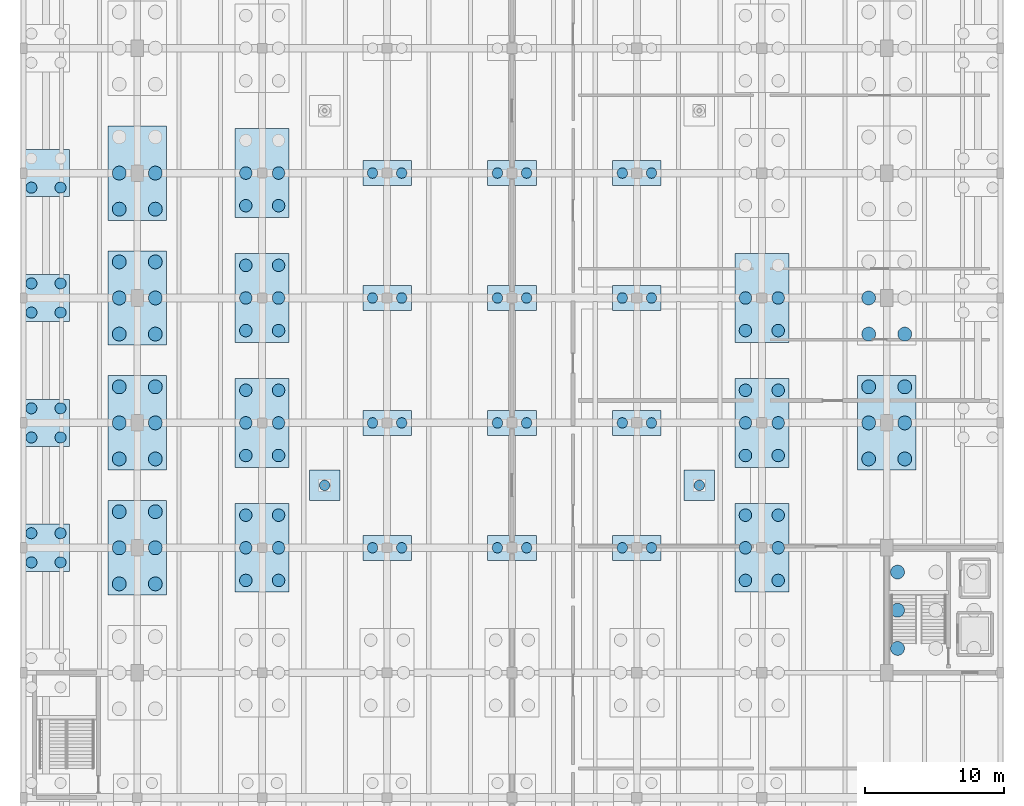
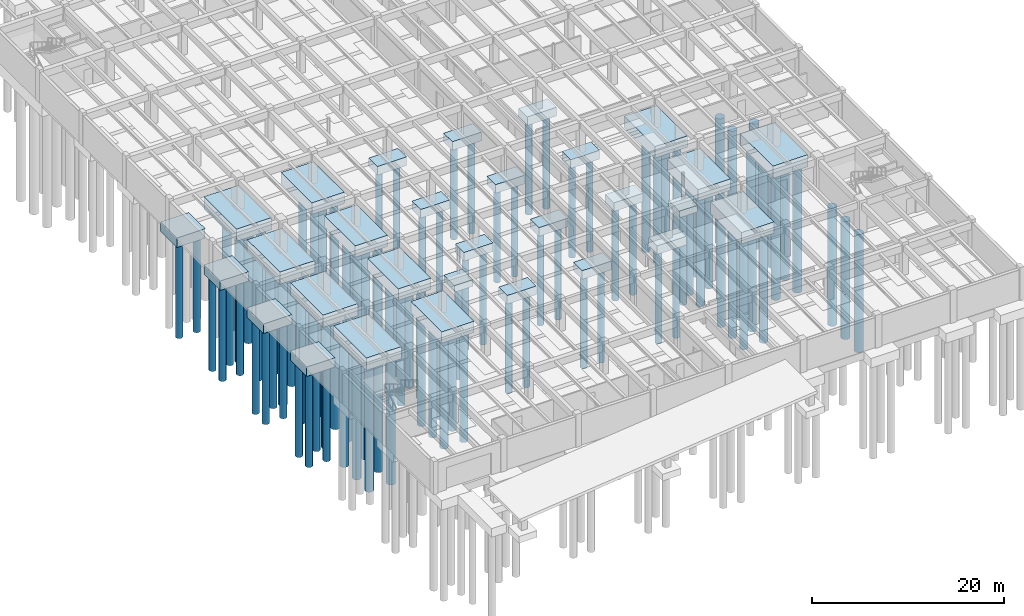
# One storey, part 2 of 23: 112 piles, 30 footings.
"""IFC4 building model written with IfcOpenShell, lengths in metres."""

from ifc_helpers import new_model, si_unit, direction, frame, origin, origin_2d, place, context, subcontext, project, spatial, polyline, circle, outline, extrude, material, layer, layer_set, material_profile, profile_set, type_object, element, save


model = new_model("IFC4")

# Units and contexts
model_context = context("Model", 3, precision=1e-05, world=origin(), true_north=direction((0.0, 1.0)))
body_context = subcontext(model_context, "Body", "Model", "MODEL_VIEW")
ifc_project = project(units=[si_unit("LENGTHUNIT", "METRE"), si_unit("AREAUNIT", "SQUARE_METRE"), si_unit("VOLUMEUNIT", "CUBIC_METRE"), si_unit("PLANEANGLEUNIT", "RADIAN"), si_unit("MASSUNIT", "GRAM", prefix="KILO")], contexts=[model_context])

# Site, building, storey
site_placement = place(None, origin())
site = spatial("IfcSite", under=ifc_project, at=site_placement, CompositionType="ELEMENT")
building_placement = place(site_placement, origin())
building = spatial("IfcBuilding", under=site, at=building_placement, Name="Ornek Quay Market", CompositionType="ELEMENT")
storey_placement = place(building_placement, frame((0.0, 0.0, -4.199951171875)))
storey = spatial("IfcBuildingStorey", under=building, at=storey_placement, Name="B1", CompositionType="ELEMENT", Elevation=-4.199951171875)

# Footings
ifc_material = material(Name="Concrete C35/45", Category="concrete")
ifc_layer_1 = layer(ifc_material, 0.85009765625, Name="Concrete C35/45", Category="concrete")
ifc_layer_set_1 = layer_set([ifc_layer_1], Name="Concrete C35/45")
footing_type_1 = type_object("IfcFootingType", Name="FT-PAD-2200x2200x850", PredefinedType="PAD_FOOTING", material=ifc_layer_set_1)
footing_1_placement = place(storey_placement, frame((0.0, 0.0, -0.85009765625)))
element("IfcFooting", 1, at=footing_1_placement, inside=storey, type_object=footing_type_1, Name="Pad footing PF-01", PredefinedType="PAD_FOOTING", context=body_context, shape_type="SweptSolid", body=[
    extrude(outline(polyline([(75.39990234375, 41.39990234375), (77.60009765625, 41.39990234375), (77.60009765625, 43.60009765625), (75.39990234375, 43.60009765625), (75.39990234375, 41.39990234375)])), origin(), (0.0, 0.0, 1.0), 0.85009765625),
])
footing_2_placement = place(storey_placement, frame((0.0, 0.0, -0.85009765625)))
element("IfcFooting", 2, at=footing_2_placement, inside=storey, type_object=footing_type_1, Name="Pad footing PF-03", PredefinedType="PAD_FOOTING", context=body_context, shape_type="SweptSolid", body=[
    extrude(outline(polyline([(102.39990234375, 41.39990234375), (104.60009765625, 41.39990234375), (104.60009765625, 43.60009765625), (102.39990234375, 43.60009765625), (102.39990234375, 41.39990234375)])), origin(), (0.0, 0.0, 1.0), 0.85009765625),
])
ifc_layer_2 = layer(ifc_material, 1.10009765625, Name="Concrete C35/45", Category="concrete")
ifc_layer_set_2 = layer_set([ifc_layer_2], Name="Concrete C35/45")
footing_type_2 = type_object("IfcFootingType", Name="FT-PC2-2800x1400x1100", PredefinedType="PILE_CAP", material=ifc_layer_set_2)
footing_3_placement = place(storey_placement, frame((0.0, 0.0, -1.10009765625)))
element("IfcFooting", 3, at=footing_3_placement, inside=storey, type_object=footing_type_2, Name="Pile cap FC-103", PredefinedType="PILE_CAP", context=body_context, shape_type="SweptSolid", body=[
    extrude(outline(polyline([(79.25, 37.10009765625), (82.75, 37.10009765625), (82.75, 38.89990234375), (79.25, 38.89990234375), (79.25, 37.10009765625)])), origin(), (0.0, 0.0, 1.0), 1.10009765625),
])
footing_4_placement = place(storey_placement, frame((0.0, 0.0, -1.10009765625)))
element("IfcFooting", 4, at=footing_4_placement, inside=storey, type_object=footing_type_2, Name="Pile cap FC-104", PredefinedType="PILE_CAP", context=body_context, shape_type="SweptSolid", body=[
    extrude(outline(polyline([(79.25, 46.10009765625), (82.75, 46.10009765625), (82.75, 47.89990234375), (79.25, 47.89990234375), (79.25, 46.10009765625)])), origin(), (0.0, 0.0, 1.0), 1.10009765625),
])
footing_5_placement = place(storey_placement, frame((0.0, 0.0, -1.10009765625)))
element("IfcFooting", 5, at=footing_5_placement, inside=storey, type_object=footing_type_2, Name="Pile cap FC-105", PredefinedType="PILE_CAP", context=body_context, shape_type="SweptSolid", body=[
    extrude(outline(polyline([(79.25, 55.10009765625), (82.75, 55.10009765625), (82.75, 56.89990234375), (79.25, 56.89990234375), (79.25, 55.10009765625)])), origin(), (0.0, 0.0, 1.0), 1.10009765625),
])
footing_6_placement = place(storey_placement, frame((0.0, 0.0, -1.10009765625)))
element("IfcFooting", 6, at=footing_6_placement, inside=storey, type_object=footing_type_2, Name="Pile cap FC-106", PredefinedType="PILE_CAP", context=body_context, shape_type="SweptSolid", body=[
    extrude(outline(polyline([(79.25, 64.10009765625), (82.75, 64.10009765625), (82.75, 65.89990234375), (79.25, 65.89990234375), (79.25, 64.10009765625)])), origin(), (0.0, 0.0, 1.0), 1.10009765625),
])
footing_7_placement = place(storey_placement, frame((0.0, 0.0, -1.10009765625)))
element("IfcFooting", 7, at=footing_7_placement, inside=storey, type_object=footing_type_2, Name="Pile cap FC-116", PredefinedType="PILE_CAP", context=body_context, shape_type="SweptSolid", body=[
    extrude(outline(polyline([(88.25, 37.10009765625), (91.75, 37.10009765625), (91.75, 38.89990234375), (88.25, 38.89990234375), (88.25, 37.10009765625)])), origin(), (0.0, 0.0, 1.0), 1.10009765625),
])
footing_8_placement = place(storey_placement, frame((0.0, 0.0, -1.10009765625)))
element("IfcFooting", 8, at=footing_8_placement, inside=storey, type_object=footing_type_2, Name="Pile cap FC-117", PredefinedType="PILE_CAP", context=body_context, shape_type="SweptSolid", body=[
    extrude(outline(polyline([(88.25, 46.10009765625), (91.75, 46.10009765625), (91.75, 47.89990234375), (88.25, 47.89990234375), (88.25, 46.10009765625)])), origin(), (0.0, 0.0, 1.0), 1.10009765625),
])
footing_9_placement = place(storey_placement, frame((0.0, 0.0, -1.10009765625)))
element("IfcFooting", 9, at=footing_9_placement, inside=storey, type_object=footing_type_2, Name="Pile cap FC-118", PredefinedType="PILE_CAP", context=body_context, shape_type="SweptSolid", body=[
    extrude(outline(polyline([(88.25, 55.10009765625), (91.75, 55.10009765625), (91.75, 56.89990234375), (88.25, 56.89990234375), (88.25, 55.10009765625)])), origin(), (0.0, 0.0, 1.0), 1.10009765625),
])
footing_10_placement = place(storey_placement, frame((0.0, 0.0, -1.10009765625)))
element("IfcFooting", 10, at=footing_10_placement, inside=storey, type_object=footing_type_2, Name="Pile cap FC-119", PredefinedType="PILE_CAP", context=body_context, shape_type="SweptSolid", body=[
    extrude(outline(polyline([(88.25, 64.10009765625), (91.75, 64.10009765625), (91.75, 65.89990234375), (88.25, 65.89990234375), (88.25, 64.10009765625)])), origin(), (0.0, 0.0, 1.0), 1.10009765625),
])
footing_11_placement = place(storey_placement, frame((0.0, 0.0, -1.10009765625)))
element("IfcFooting", 11, at=footing_11_placement, inside=storey, type_object=footing_type_2, Name="Pile cap FC-129", PredefinedType="PILE_CAP", context=body_context, shape_type="SweptSolid", body=[
    extrude(outline(polyline([(97.25, 37.10009765625), (100.75, 37.10009765625), (100.75, 38.89990234375), (97.25, 38.89990234375), (97.25, 37.10009765625)])), origin(), (0.0, 0.0, 1.0), 1.10009765625),
])
footing_12_placement = place(storey_placement, frame((0.0, 0.0, -1.10009765625)))
element("IfcFooting", 12, at=footing_12_placement, inside=storey, type_object=footing_type_2, Name="Pile cap FC-130", PredefinedType="PILE_CAP", context=body_context, shape_type="SweptSolid", body=[
    extrude(outline(polyline([(97.25, 46.10009765625), (100.75, 46.10009765625), (100.75, 47.89990234375), (97.25, 47.89990234375), (97.25, 46.10009765625)])), origin(), (0.0, 0.0, 1.0), 1.10009765625),
])
footing_13_placement = place(storey_placement, frame((0.0, 0.0, -1.10009765625)))
element("IfcFooting", 13, at=footing_13_placement, inside=storey, type_object=footing_type_2, Name="Pile cap FC-131", PredefinedType="PILE_CAP", context=body_context, shape_type="SweptSolid", body=[
    extrude(outline(polyline([(97.25, 55.10009765625), (100.75, 55.10009765625), (100.75, 56.89990234375), (97.25, 56.89990234375), (97.25, 55.10009765625)])), origin(), (0.0, 0.0, 1.0), 1.10009765625),
])
footing_14_placement = place(storey_placement, frame((0.0, 0.0, -1.10009765625)))
element("IfcFooting", 14, at=footing_14_placement, inside=storey, type_object=footing_type_2, Name="Pile cap FC-132", PredefinedType="PILE_CAP", context=body_context, shape_type="SweptSolid", body=[
    extrude(outline(polyline([(97.25, 64.10009765625), (100.75, 64.10009765625), (100.75, 65.89990234375), (97.25, 65.89990234375), (97.25, 64.10009765625)])), origin(), (0.0, 0.0, 1.0), 1.10009765625),
])
ifc_layer_3 = layer(ifc_material, 1.199951171875, Name="Concrete C35/45", Category="concrete")
ifc_layer_set_3 = layer_set([ifc_layer_3], Name="Concrete C35/45")
footing_type_3 = type_object("IfcFootingType", Name="FT-PC4-2800x2800x1200", PredefinedType="PILE_CAP", material=ifc_layer_set_3)
footing_15_placement = place(storey_placement, frame((0.0, 0.0, -1.199951171875)))
element("IfcFooting", 15, at=footing_15_placement, inside=storey, type_object=footing_type_3, Name="Pile cap FC-068", PredefinedType="PILE_CAP", context=body_context, shape_type="SweptSolid", body=[
    extrude(outline(polyline([(54.719970703125, 36.300048828125), (58.1201171875, 36.300048828125), (58.1201171875, 39.699951171875), (54.719970703125, 39.699951171875), (54.719970703125, 36.300048828125)])), origin(), (0.0, 0.0, 1.0), 1.199951171875),
])
footing_16_placement = place(storey_placement, frame((0.0, 0.0, -1.199951171875)))
element("IfcFooting", 16, at=footing_16_placement, inside=storey, type_object=footing_type_3, Name="Pile cap FC-069", PredefinedType="PILE_CAP", context=body_context, shape_type="SweptSolid", body=[
    extrude(outline(polyline([(54.719970703125, 45.300048828125), (58.1201171875, 45.300048828125), (58.1201171875, 48.699951171875), (54.719970703125, 48.699951171875), (54.719970703125, 45.300048828125)])), origin(), (0.0, 0.0, 1.0), 1.199951171875),
])
footing_17_placement = place(storey_placement, frame((0.0, 0.0, -1.199951171875)))
element("IfcFooting", 17, at=footing_17_placement, inside=storey, type_object=footing_type_3, Name="Pile cap FC-070", PredefinedType="PILE_CAP", context=body_context, shape_type="SweptSolid", body=[
    extrude(outline(polyline([(54.719970703125, 54.300048828125), (58.1201171875, 54.300048828125), (58.1201171875, 57.699951171875), (54.719970703125, 57.699951171875), (54.719970703125, 54.300048828125)])), origin(), (0.0, 0.0, 1.0), 1.199951171875),
])
footing_18_placement = place(storey_placement, frame((0.0, 0.0, -1.199951171875)))
element("IfcFooting", 18, at=footing_18_placement, inside=storey, type_object=footing_type_3, Name="Pile cap FC-071", PredefinedType="PILE_CAP", context=body_context, shape_type="SweptSolid", body=[
    extrude(outline(polyline([(54.719970703125, 63.300048828125), (58.1201171875, 63.300048828125), (58.1201171875, 66.699951171875), (54.719970703125, 66.699951171875), (54.719970703125, 63.300048828125)])), origin(), (0.0, 0.0, 1.0), 1.199951171875),
])
ifc_layer_4 = layer(ifc_material, 1.449951171875, Name="Concrete C35/45", Category="concrete")
ifc_layer_set_4 = layer_set([ifc_layer_4], Name="Concrete C35/45")
footing_type_4 = type_object("IfcFootingType", Name="FT-PC6-3200x4600x1450", PredefinedType="PILE_CAP", material=ifc_layer_set_4)
footing_19_placement = place(storey_placement, frame((0.0, 0.0, -1.449951171875)))
element("IfcFooting", 19, at=footing_19_placement, inside=storey, type_object=footing_type_4, Name="Pile cap FC-090", PredefinedType="PILE_CAP", context=body_context, shape_type="SweptSolid", body=[
    extrude(outline(polyline([(70.050048828125, 34.800048828125), (73.949951171875, 34.800048828125), (73.949951171875, 41.199951171875), (70.050048828125, 41.199951171875), (70.050048828125, 34.800048828125)])), origin(), (0.0, 0.0, 1.0), 1.449951171875),
])
footing_20_placement = place(storey_placement, frame((0.0, 0.0, -1.449951171875)))
element("IfcFooting", 20, at=footing_20_placement, inside=storey, type_object=footing_type_4, Name="Pile cap FC-091", PredefinedType="PILE_CAP", context=body_context, shape_type="SweptSolid", body=[
    extrude(outline(polyline([(70.050048828125, 43.800048828125), (73.949951171875, 43.800048828125), (73.949951171875, 50.199951171875), (70.050048828125, 50.199951171875), (70.050048828125, 43.800048828125)])), origin(), (0.0, 0.0, 1.0), 1.449951171875),
])
footing_21_placement = place(storey_placement, frame((0.0, 0.0, -1.449951171875)))
element("IfcFooting", 21, at=footing_21_placement, inside=storey, type_object=footing_type_4, Name="Pile cap FC-092", PredefinedType="PILE_CAP", context=body_context, shape_type="SweptSolid", body=[
    extrude(outline(polyline([(70.050048828125, 52.800048828125), (73.949951171875, 52.800048828125), (73.949951171875, 59.199951171875), (70.050048828125, 59.199951171875), (70.050048828125, 52.800048828125)])), origin(), (0.0, 0.0, 1.0), 1.449951171875),
])
footing_22_placement = place(storey_placement, frame((0.0, 0.0, -1.449951171875)))
element("IfcFooting", 22, at=footing_22_placement, inside=storey, type_object=footing_type_4, Name="Pile cap FC-093", PredefinedType="PILE_CAP", context=body_context, shape_type="SweptSolid", body=[
    extrude(outline(polyline([(70.050048828125, 61.800048828125), (73.949951171875, 61.800048828125), (73.949951171875, 68.199951171875), (70.050048828125, 68.199951171875), (70.050048828125, 61.800048828125)])), origin(), (0.0, 0.0, 1.0), 1.449951171875),
])
footing_23_placement = place(storey_placement, frame((0.0, 0.0, -1.449951171875)))
element("IfcFooting", 23, at=footing_23_placement, inside=storey, type_object=footing_type_4, Name="Pile cap FC-142", PredefinedType="PILE_CAP", context=body_context, shape_type="SweptSolid", body=[
    extrude(outline(polyline([(106.050048828125, 34.800048828125), (109.949951171875, 34.800048828125), (109.949951171875, 41.199951171875), (106.050048828125, 41.199951171875), (106.050048828125, 34.800048828125)])), origin(), (0.0, 0.0, 1.0), 1.449951171875),
])
footing_24_placement = place(storey_placement, frame((0.0, 0.0, -1.449951171875)))
element("IfcFooting", 24, at=footing_24_placement, inside=storey, type_object=footing_type_4, Name="Pile cap FC-143", PredefinedType="PILE_CAP", context=body_context, shape_type="SweptSolid", body=[
    extrude(outline(polyline([(106.050048828125, 43.800048828125), (109.949951171875, 43.800048828125), (109.949951171875, 50.199951171875), (106.050048828125, 50.199951171875), (106.050048828125, 43.800048828125)])), origin(), (0.0, 0.0, 1.0), 1.449951171875),
])
footing_25_placement = place(storey_placement, frame((0.0, 0.0, -1.449951171875)))
element("IfcFooting", 25, at=footing_25_placement, inside=storey, type_object=footing_type_4, Name="Pile cap FC-144", PredefinedType="PILE_CAP", context=body_context, shape_type="SweptSolid", body=[
    extrude(outline(polyline([(106.050048828125, 52.800048828125), (109.949951171875, 52.800048828125), (109.949951171875, 59.199951171875), (106.050048828125, 59.199951171875), (106.050048828125, 52.800048828125)])), origin(), (0.0, 0.0, 1.0), 1.449951171875),
])
ifc_layer_5 = layer(ifc_material, 1.550048828125, Name="Concrete C35/45", Category="concrete")
ifc_layer_set_5 = layer_set([ifc_layer_5], Name="Concrete C35/45")
footing_type_5 = type_object("IfcFootingType", Name="FT-PC6-3600x5200x1550", PredefinedType="PILE_CAP", material=ifc_layer_set_5)
footing_26_placement = place(storey_placement, frame((0.0, 0.0, -1.550048828125)))
element("IfcFooting", 26, at=footing_26_placement, inside=storey, type_object=footing_type_5, Name="Pile cap FC-079", PredefinedType="PILE_CAP", context=body_context, shape_type="SweptSolid", body=[
    extrude(outline(polyline([(60.89990234375, 34.60009765625), (65.10009765625, 34.60009765625), (65.10009765625, 41.39990234375), (60.89990234375, 41.39990234375), (60.89990234375, 34.60009765625)])), origin(), (0.0, 0.0, 1.0), 1.550048828125),
])
footing_27_placement = place(storey_placement, frame((0.0, 0.0, -1.550048828125)))
element("IfcFooting", 27, at=footing_27_placement, inside=storey, type_object=footing_type_5, Name="Pile cap FC-080", PredefinedType="PILE_CAP", context=body_context, shape_type="SweptSolid", body=[
    extrude(outline(polyline([(60.89990234375, 43.60009765625), (65.10009765625, 43.60009765625), (65.10009765625, 50.39990234375), (60.89990234375, 50.39990234375), (60.89990234375, 43.60009765625)])), origin(), (0.0, 0.0, 1.0), 1.550048828125),
])
footing_28_placement = place(storey_placement, frame((0.0, 0.0, -1.550048828125)))
element("IfcFooting", 28, at=footing_28_placement, inside=storey, type_object=footing_type_5, Name="Pile cap FC-081", PredefinedType="PILE_CAP", context=body_context, shape_type="SweptSolid", body=[
    extrude(outline(polyline([(60.89990234375, 52.60009765625), (65.10009765625, 52.60009765625), (65.10009765625, 59.39990234375), (60.89990234375, 59.39990234375), (60.89990234375, 52.60009765625)])), origin(), (0.0, 0.0, 1.0), 1.550048828125),
])
footing_29_placement = place(storey_placement, frame((0.0, 0.0, -1.550048828125)))
element("IfcFooting", 29, at=footing_29_placement, inside=storey, type_object=footing_type_5, Name="Pile cap FC-082", PredefinedType="PILE_CAP", context=body_context, shape_type="SweptSolid", body=[
    extrude(outline(polyline([(60.89990234375, 61.60009765625), (65.10009765625, 61.60009765625), (65.10009765625, 68.39990234375), (60.89990234375, 68.39990234375), (60.89990234375, 61.60009765625)])), origin(), (0.0, 0.0, 1.0), 1.550048828125),
])
footing_30_placement = place(storey_placement, frame((0.0, 0.0, -1.550048828125)))
element("IfcFooting", 30, at=footing_30_placement, inside=storey, type_object=footing_type_5, Name="Pile cap FC-154", PredefinedType="PILE_CAP", context=body_context, shape_type="SweptSolid", body=[
    extrude(outline(polyline([(114.89990234375, 43.60009765625), (119.10009765625, 43.60009765625), (119.10009765625, 50.39990234375), (114.89990234375, 50.39990234375), (114.89990234375, 43.60009765625)])), origin(), (0.0, 0.0, 1.0), 1.550048828125),
])

# Piles
ifc_material_profile_1 = material_profile(ifc_material, circle(Radius=0.5, at=origin_2d()), Name="PILE D1000", Category="concrete")
ifc_profile_set_1 = profile_set([ifc_material_profile_1], Name="Concrete C35/45")
pile_type_1 = type_object("IfcPileType", Name="PL-BOR-D1000-L15", PredefinedType="BORED", material=ifc_profile_set_1)
for number, where, z_axis, x_axis, name in (
    (31, (117.780029296875, 30.75, -1.550048828125), (0.0, 0.0, -1.0), (1.0, 0.0, 0.0), "Bored pile P-0028"),
    (32, (117.780029296875, 33.5, -1.550048828125), (0.0, 0.0, -1.0), (1.0, 0.0, 0.0), "Bored pile P-0029"),
    (33, (117.780029296875, 36.25, -1.550048828125), (0.0, 0.0, -1.0), (1.0, 0.0, 0.0), "Bored pile P-0030"),
):
    element("IfcPile", number, at=place(storey_placement, frame(where, z_axis=z_axis, x_axis=x_axis)), inside=storey, type_object=pile_type_1, Name=name, PredefinedType="BORED", context=body_context, shape_type="SweptSolid", body=[
        extrude(circle(Radius=0.5, at=origin_2d()), origin(), (0.0, 0.0, 1.0), 15.0),
    ])
ifc_material_profile_2 = material_profile(ifc_material, circle(Radius=0.5, at=origin_2d()), Name="PILE D1000", Category="concrete")
ifc_profile_set_2 = profile_set([ifc_material_profile_2], Name="Concrete C35/45")
pile_type_2 = type_object("IfcPileType", Name="PL-BOR-D1000-L16", PredefinedType="BORED", material=ifc_profile_set_2)
for number, where, z_axis, x_axis, name in (
    (34, (61.699951171875, 35.39990234375, -1.449951171875), (0.0, 0.0, -1.0), (1.0, 0.0, 0.0), "Bored pile P-0345"),
    (35, (64.300048828125, 35.39990234375, -1.449951171875), (0.0, 0.0, -1.0), (1.0, 0.0, 0.0), "Bored pile P-0346"),
    (36, (61.699951171875, 38.0, -1.449951171875), (0.0, 0.0, -1.0), (1.0, 0.0, 0.0), "Bored pile P-0347"),
    (37, (64.300048828125, 38.0, -1.449951171875), (0.0, 0.0, -1.0), (1.0, 0.0, 0.0), "Bored pile P-0348"),
    (38, (61.699951171875, 40.60009765625, -1.449951171875), (0.0, 0.0, -1.0), (1.0, 0.0, 0.0), "Bored pile P-0349"),
    (39, (64.300048828125, 40.60009765625, -1.449951171875), (0.0, 0.0, -1.0), (1.0, 0.0, 0.0), "Bored pile P-0350"),
    (40, (61.699951171875, 44.39990234375, -1.449951171875), (0.0, 0.0, -1.0), (1.0, 0.0, 0.0), "Bored pile P-0351"),
    (41, (64.300048828125, 44.39990234375, -1.449951171875), (0.0, 0.0, -1.0), (1.0, 0.0, 0.0), "Bored pile P-0352"),
    (42, (61.699951171875, 47.0, -1.449951171875), (0.0, 0.0, -1.0), (1.0, 0.0, 0.0), "Bored pile P-0353"),
    (43, (64.300048828125, 47.0, -1.449951171875), (0.0, 0.0, -1.0), (1.0, 0.0, 0.0), "Bored pile P-0354"),
    (44, (61.699951171875, 49.60009765625, -1.449951171875), (0.0, 0.0, -1.0), (1.0, 0.0, 0.0), "Bored pile P-0355"),
    (45, (64.300048828125, 49.60009765625, -1.449951171875), (0.0, 0.0, -1.0), (1.0, 0.0, 0.0), "Bored pile P-0356"),
    (46, (61.699951171875, 53.39990234375, -1.449951171875), (0.0, 0.0, -1.0), (1.0, 0.0, 0.0), "Bored pile P-0357"),
    (47, (64.300048828125, 53.39990234375, -1.449951171875), (0.0, 0.0, -1.0), (1.0, 0.0, 0.0), "Bored pile P-0358"),
    (48, (61.699951171875, 56.0, -1.449951171875), (0.0, 0.0, -1.0), (1.0, 0.0, 0.0), "Bored pile P-0359"),
    (49, (64.300048828125, 56.0, -1.449951171875), (0.0, 0.0, -1.0), (1.0, 0.0, 0.0), "Bored pile P-0360"),
    (50, (61.699951171875, 58.60009765625, -1.449951171875), (0.0, 0.0, -1.0), (1.0, 0.0, 0.0), "Bored pile P-0361"),
    (51, (64.300048828125, 58.60009765625, -1.449951171875), (0.0, 0.0, -1.0), (1.0, 0.0, 0.0), "Bored pile P-0362"),
    (52, (61.699951171875, 62.39990234375, -1.449951171875), (0.0, 0.0, -1.0), (1.0, 0.0, 0.0), "Bored pile P-0363"),
    (53, (64.300048828125, 62.39990234375, -1.449951171875), (0.0, 0.0, -1.0), (1.0, 0.0, 0.0), "Bored pile P-0364"),
    (54, (61.699951171875, 65.0, -1.449951171875), (0.0, 0.0, -1.0), (1.0, 0.0, 0.0), "Bored pile P-0365"),
    (55, (64.300048828125, 65.0, -1.449951171875), (0.0, 0.0, -1.0), (1.0, 0.0, 0.0), "Bored pile P-0366"),
    (56, (115.699951171875, 44.39990234375, -1.449951171875), (0.0, 0.0, -1.0), (1.0, 0.0, 0.0), "Bored pile P-0671"),
    (57, (118.300048828125, 44.39990234375, -1.449951171875), (0.0, 0.0, -1.0), (1.0, 0.0, 0.0), "Bored pile P-0672"),
    (58, (115.699951171875, 47.0, -1.449951171875), (0.0, 0.0, -1.0), (1.0, 0.0, 0.0), "Bored pile P-0673"),
    (59, (118.300048828125, 47.0, -1.449951171875), (0.0, 0.0, -1.0), (1.0, 0.0, 0.0), "Bored pile P-0674"),
    (60, (115.699951171875, 49.60009765625, -1.449951171875), (0.0, 0.0, -1.0), (1.0, 0.0, 0.0), "Bored pile P-0675"),
    (61, (118.300048828125, 49.60009765625, -1.449951171875), (0.0, 0.0, -1.0), (1.0, 0.0, 0.0), "Bored pile P-0676"),
    (62, (115.699951171875, 53.39990234375, -1.449951171875), (0.0, 0.0, -1.0), (1.0, 0.0, 0.0), "Bored pile P-0677"),
    (63, (118.300048828125, 53.39990234375, -1.449951171875), (0.0, 0.0, -1.0), (1.0, 0.0, 0.0), "Bored pile P-0678"),
    (64, (115.699951171875, 56.0, -1.449951171875), (0.0, 0.0, -1.0), (1.0, 0.0, 0.0), "Bored pile P-0679"),
):
    element("IfcPile", number, at=place(storey_placement, frame(where, z_axis=z_axis, x_axis=x_axis)), inside=storey, type_object=pile_type_2, Name=name, PredefinedType="BORED", context=body_context, shape_type="SweptSolid", body=[
        extrude(circle(Radius=0.5, at=origin_2d()), origin(), (0.0, 0.0, 1.0), 16.0),
    ])
ifc_material_profile_3 = material_profile(ifc_material, circle(Radius=0.39990234375, at=origin_2d()), Name="PILE D800", Category="concrete")
ifc_profile_set_3 = profile_set([ifc_material_profile_3], Name="Concrete C35/45")
pile_type_3 = type_object("IfcPileType", Name="PL-BOR-D800-L12", PredefinedType="BORED", material=ifc_profile_set_3)
for number, where, z_axis, x_axis, name in (
    (65, (55.3701171875, 36.949951171875, -1.10009765625), (0.0, 0.0, -1.0), (1.0, 0.0, 0.0), "Bored pile P-0299"),
    (66, (57.469970703125, 36.949951171875, -1.10009765625), (0.0, 0.0, -1.0), (1.0, 0.0, 0.0), "Bored pile P-0300"),
    (67, (55.3701171875, 39.050048828125, -1.10009765625), (0.0, 0.0, -1.0), (1.0, 0.0, 0.0), "Bored pile P-0301"),
    (68, (57.469970703125, 39.050048828125, -1.10009765625), (0.0, 0.0, -1.0), (1.0, 0.0, 0.0), "Bored pile P-0302"),
    (69, (55.3701171875, 45.949951171875, -1.10009765625), (0.0, 0.0, -1.0), (1.0, 0.0, 0.0), "Bored pile P-0303"),
    (70, (57.469970703125, 45.949951171875, -1.10009765625), (0.0, 0.0, -1.0), (1.0, 0.0, 0.0), "Bored pile P-0304"),
    (71, (55.3701171875, 48.050048828125, -1.10009765625), (0.0, 0.0, -1.0), (1.0, 0.0, 0.0), "Bored pile P-0305"),
    (72, (57.469970703125, 48.050048828125, -1.10009765625), (0.0, 0.0, -1.0), (1.0, 0.0, 0.0), "Bored pile P-0306"),
    (73, (55.3701171875, 54.949951171875, -1.10009765625), (0.0, 0.0, -1.0), (1.0, 0.0, 0.0), "Bored pile P-0307"),
    (74, (57.469970703125, 54.949951171875, -1.10009765625), (0.0, 0.0, -1.0), (1.0, 0.0, 0.0), "Bored pile P-0308"),
    (75, (55.3701171875, 57.050048828125, -1.10009765625), (0.0, 0.0, -1.0), (1.0, 0.0, 0.0), "Bored pile P-0309"),
    (76, (57.469970703125, 57.050048828125, -1.10009765625), (0.0, 0.0, -1.0), (1.0, 0.0, 0.0), "Bored pile P-0310"),
    (77, (55.3701171875, 63.949951171875, -1.10009765625), (0.0, 0.0, -1.0), (1.0, 0.0, 0.0), "Bored pile P-0311"),
    (78, (57.469970703125, 63.949951171875, -1.10009765625), (0.0, 0.0, -1.0), (1.0, 0.0, 0.0), "Bored pile P-0312"),
):
    element("IfcPile", number, at=place(storey_placement, frame(where, z_axis=z_axis, x_axis=x_axis)), inside=storey, type_object=pile_type_3, Name=name, PredefinedType="BORED", context=body_context, shape_type="SweptSolid", body=[
        extrude(circle(Radius=0.39990234375, at=origin_2d()), origin(), (0.0, 0.0, 1.0), 12.0),
    ])
ifc_material_profile_4 = material_profile(ifc_material, circle(Radius=0.449951171875, at=origin_2d()), Name="PILE D900", Category="concrete")
ifc_profile_set_4 = profile_set([ifc_material_profile_4], Name="Concrete C35/45")
pile_type_4 = type_object("IfcPileType", Name="PL-BOR-D900-L14", PredefinedType="BORED", material=ifc_profile_set_4)
for number, where, z_axis, x_axis, name in (
    (79, (70.820068359375, 35.64990234375, -1.35009765625), (0.0, 0.0, -1.0), (1.0, 0.0, 0.0), "Bored pile P-0403"),
    (80, (73.179931640625, 35.64990234375, -1.35009765625), (0.0, 0.0, -1.0), (1.0, 0.0, 0.0), "Bored pile P-0404"),
    (81, (70.820068359375, 38.0, -1.35009765625), (0.0, 0.0, -1.0), (1.0, 0.0, 0.0), "Bored pile P-0405"),
    (82, (73.179931640625, 38.0, -1.35009765625), (0.0, 0.0, -1.0), (1.0, 0.0, 0.0), "Bored pile P-0406"),
    (83, (70.820068359375, 40.35009765625, -1.35009765625), (0.0, 0.0, -1.0), (1.0, 0.0, 0.0), "Bored pile P-0407"),
    (84, (73.179931640625, 40.35009765625, -1.35009765625), (0.0, 0.0, -1.0), (1.0, 0.0, 0.0), "Bored pile P-0408"),
    (85, (70.820068359375, 44.64990234375, -1.35009765625), (0.0, 0.0, -1.0), (1.0, 0.0, 0.0), "Bored pile P-0409"),
    (86, (73.179931640625, 44.64990234375, -1.35009765625), (0.0, 0.0, -1.0), (1.0, 0.0, 0.0), "Bored pile P-0410"),
    (87, (70.820068359375, 47.0, -1.35009765625), (0.0, 0.0, -1.0), (1.0, 0.0, 0.0), "Bored pile P-0411"),
    (88, (73.179931640625, 47.0, -1.35009765625), (0.0, 0.0, -1.0), (1.0, 0.0, 0.0), "Bored pile P-0412"),
    (89, (70.820068359375, 49.35009765625, -1.35009765625), (0.0, 0.0, -1.0), (1.0, 0.0, 0.0), "Bored pile P-0413"),
    (90, (73.179931640625, 49.35009765625, -1.35009765625), (0.0, 0.0, -1.0), (1.0, 0.0, 0.0), "Bored pile P-0414"),
    (91, (70.820068359375, 53.64990234375, -1.35009765625), (0.0, 0.0, -1.0), (1.0, 0.0, 0.0), "Bored pile P-0415"),
    (92, (73.179931640625, 53.64990234375, -1.35009765625), (0.0, 0.0, -1.0), (1.0, 0.0, 0.0), "Bored pile P-0416"),
    (93, (70.820068359375, 56.0, -1.35009765625), (0.0, 0.0, -1.0), (1.0, 0.0, 0.0), "Bored pile P-0417"),
    (94, (73.179931640625, 56.0, -1.35009765625), (0.0, 0.0, -1.0), (1.0, 0.0, 0.0), "Bored pile P-0418"),
    (95, (70.820068359375, 58.35009765625, -1.35009765625), (0.0, 0.0, -1.0), (1.0, 0.0, 0.0), "Bored pile P-0419"),
    (96, (73.179931640625, 58.35009765625, -1.35009765625), (0.0, 0.0, -1.0), (1.0, 0.0, 0.0), "Bored pile P-0420"),
    (97, (70.820068359375, 62.64990234375, -1.35009765625), (0.0, 0.0, -1.0), (1.0, 0.0, 0.0), "Bored pile P-0421"),
    (98, (73.179931640625, 62.64990234375, -1.35009765625), (0.0, 0.0, -1.0), (1.0, 0.0, 0.0), "Bored pile P-0422"),
    (99, (70.820068359375, 65.0, -1.35009765625), (0.0, 0.0, -1.0), (1.0, 0.0, 0.0), "Bored pile P-0423"),
    (100, (73.179931640625, 65.0, -1.35009765625), (0.0, 0.0, -1.0), (1.0, 0.0, 0.0), "Bored pile P-0424"),
    (101, (106.820068359375, 35.64990234375, -1.35009765625), (0.0, 0.0, -1.0), (1.0, 0.0, 0.0), "Bored pile P-0609"),
    (102, (109.179931640625, 35.64990234375, -1.35009765625), (0.0, 0.0, -1.0), (1.0, 0.0, 0.0), "Bored pile P-0610"),
    (103, (106.820068359375, 38.0, -1.35009765625), (0.0, 0.0, -1.0), (1.0, 0.0, 0.0), "Bored pile P-0611"),
    (104, (109.179931640625, 38.0, -1.35009765625), (0.0, 0.0, -1.0), (1.0, 0.0, 0.0), "Bored pile P-0612"),
    (105, (106.820068359375, 40.35009765625, -1.35009765625), (0.0, 0.0, -1.0), (1.0, 0.0, 0.0), "Bored pile P-0613"),
    (106, (109.179931640625, 40.35009765625, -1.35009765625), (0.0, 0.0, -1.0), (1.0, 0.0, 0.0), "Bored pile P-0614"),
    (107, (106.820068359375, 44.64990234375, -1.35009765625), (0.0, 0.0, -1.0), (1.0, 0.0, 0.0), "Bored pile P-0615"),
    (108, (109.179931640625, 44.64990234375, -1.35009765625), (0.0, 0.0, -1.0), (1.0, 0.0, 0.0), "Bored pile P-0616"),
    (109, (106.820068359375, 47.0, -1.35009765625), (0.0, 0.0, -1.0), (1.0, 0.0, 0.0), "Bored pile P-0617"),
    (110, (109.179931640625, 47.0, -1.35009765625), (0.0, 0.0, -1.0), (1.0, 0.0, 0.0), "Bored pile P-0618"),
    (111, (106.820068359375, 49.35009765625, -1.35009765625), (0.0, 0.0, -1.0), (1.0, 0.0, 0.0), "Bored pile P-0619"),
    (112, (109.179931640625, 49.35009765625, -1.35009765625), (0.0, 0.0, -1.0), (1.0, 0.0, 0.0), "Bored pile P-0620"),
    (113, (106.820068359375, 53.64990234375, -1.35009765625), (0.0, 0.0, -1.0), (1.0, 0.0, 0.0), "Bored pile P-0621"),
    (114, (109.179931640625, 53.64990234375, -1.35009765625), (0.0, 0.0, -1.0), (1.0, 0.0, 0.0), "Bored pile P-0622"),
    (115, (106.820068359375, 56.0, -1.35009765625), (0.0, 0.0, -1.0), (1.0, 0.0, 0.0), "Bored pile P-0623"),
    (116, (109.179931640625, 56.0, -1.35009765625), (0.0, 0.0, -1.0), (1.0, 0.0, 0.0), "Bored pile P-0624"),
):
    element("IfcPile", number, at=place(storey_placement, frame(where, z_axis=z_axis, x_axis=x_axis)), inside=storey, type_object=pile_type_4, Name=name, PredefinedType="BORED", context=body_context, shape_type="SweptSolid", body=[
        extrude(circle(Radius=0.449951171875, at=origin_2d()), origin(), (0.0, 0.0, 1.0), 14.0),
    ])
ifc_material_profile_5 = material_profile(ifc_material, circle(Radius=0.375, at=origin_2d()), Name="PILE D750", Category="concrete")
ifc_profile_set_5 = profile_set([ifc_material_profile_5], Name="Concrete C35/45")
pile_type_5 = type_object("IfcPileType", Name="PL-SUP-D750-L12", PredefinedType="SUPPORT", material=ifc_profile_set_5)
for number, where, z_axis, x_axis, name in (
    (117, (79.949951171875, 38.0, -1.0), (0.0, 0.0, -1.0), (1.0, 0.0, 0.0), "Bored pile P-0471"),
    (118, (82.050048828125, 38.0, -1.0), (0.0, 0.0, -1.0), (1.0, 0.0, 0.0), "Bored pile P-0472"),
    (119, (79.949951171875, 47.0, -1.0), (0.0, 0.0, -1.0), (1.0, 0.0, 0.0), "Bored pile P-0473"),
    (120, (82.050048828125, 47.0, -1.0), (0.0, 0.0, -1.0), (1.0, 0.0, 0.0), "Bored pile P-0474"),
    (121, (79.949951171875, 56.0, -1.0), (0.0, 0.0, -1.0), (1.0, 0.0, 0.0), "Bored pile P-0475"),
    (122, (82.050048828125, 56.0, -1.0), (0.0, 0.0, -1.0), (1.0, 0.0, 0.0), "Bored pile P-0476"),
    (123, (79.949951171875, 65.0, -1.0), (0.0, 0.0, -1.0), (1.0, 0.0, 0.0), "Bored pile P-0477"),
    (124, (82.050048828125, 65.0, -1.0), (0.0, 0.0, -1.0), (1.0, 0.0, 0.0), "Bored pile P-0478"),
    (125, (88.949951171875, 38.0, -1.0), (0.0, 0.0, -1.0), (1.0, 0.0, 0.0), "Bored pile P-0517"),
    (126, (91.050048828125, 38.0, -1.0), (0.0, 0.0, -1.0), (1.0, 0.0, 0.0), "Bored pile P-0518"),
    (127, (88.949951171875, 47.0, -1.0), (0.0, 0.0, -1.0), (1.0, 0.0, 0.0), "Bored pile P-0519"),
    (128, (91.050048828125, 47.0, -1.0), (0.0, 0.0, -1.0), (1.0, 0.0, 0.0), "Bored pile P-0520"),
    (129, (88.949951171875, 56.0, -1.0), (0.0, 0.0, -1.0), (1.0, 0.0, 0.0), "Bored pile P-0521"),
    (130, (91.050048828125, 56.0, -1.0), (0.0, 0.0, -1.0), (1.0, 0.0, 0.0), "Bored pile P-0522"),
    (131, (88.949951171875, 65.0, -1.0), (0.0, 0.0, -1.0), (1.0, 0.0, 0.0), "Bored pile P-0523"),
    (132, (91.050048828125, 65.0, -1.0), (0.0, 0.0, -1.0), (1.0, 0.0, 0.0), "Bored pile P-0524"),
    (133, (97.949951171875, 38.0, -1.0), (0.0, 0.0, -1.0), (1.0, 0.0, 0.0), "Bored pile P-0563"),
    (134, (100.050048828125, 38.0, -1.0), (0.0, 0.0, -1.0), (1.0, 0.0, 0.0), "Bored pile P-0564"),
    (135, (97.949951171875, 47.0, -1.0), (0.0, 0.0, -1.0), (1.0, 0.0, 0.0), "Bored pile P-0565"),
    (136, (100.050048828125, 47.0, -1.0), (0.0, 0.0, -1.0), (1.0, 0.0, 0.0), "Bored pile P-0566"),
    (137, (97.949951171875, 56.0, -1.0), (0.0, 0.0, -1.0), (1.0, 0.0, 0.0), "Bored pile P-0567"),
    (138, (100.050048828125, 56.0, -1.0), (0.0, 0.0, -1.0), (1.0, 0.0, 0.0), "Bored pile P-0568"),
    (139, (97.949951171875, 65.0, -1.0), (0.0, 0.0, -1.0), (1.0, 0.0, 0.0), "Bored pile P-0569"),
    (140, (100.050048828125, 65.0, -1.0), (0.0, 0.0, -1.0), (1.0, 0.0, 0.0), "Bored pile P-0570"),
    (141, (76.5, 42.5, -0.75), (0.0, 0.0, -1.0), (1.0, 0.0, 0.0), "Bored pile P-1201"),
    (142, (103.5, 42.5, -0.75), (0.0, 0.0, -1.0), (1.0, 0.0, 0.0), "Bored pile P-1203"),
):
    element("IfcPile", number, at=place(storey_placement, frame(where, z_axis=z_axis, x_axis=x_axis)), inside=storey, type_object=pile_type_5, Name=name, PredefinedType="SUPPORT", context=body_context, shape_type="SweptSolid", body=[
        extrude(circle(Radius=0.375, at=origin_2d()), origin(), (0.0, 0.0, 1.0), 12.0),
    ])

save(model, "model.ifc")
